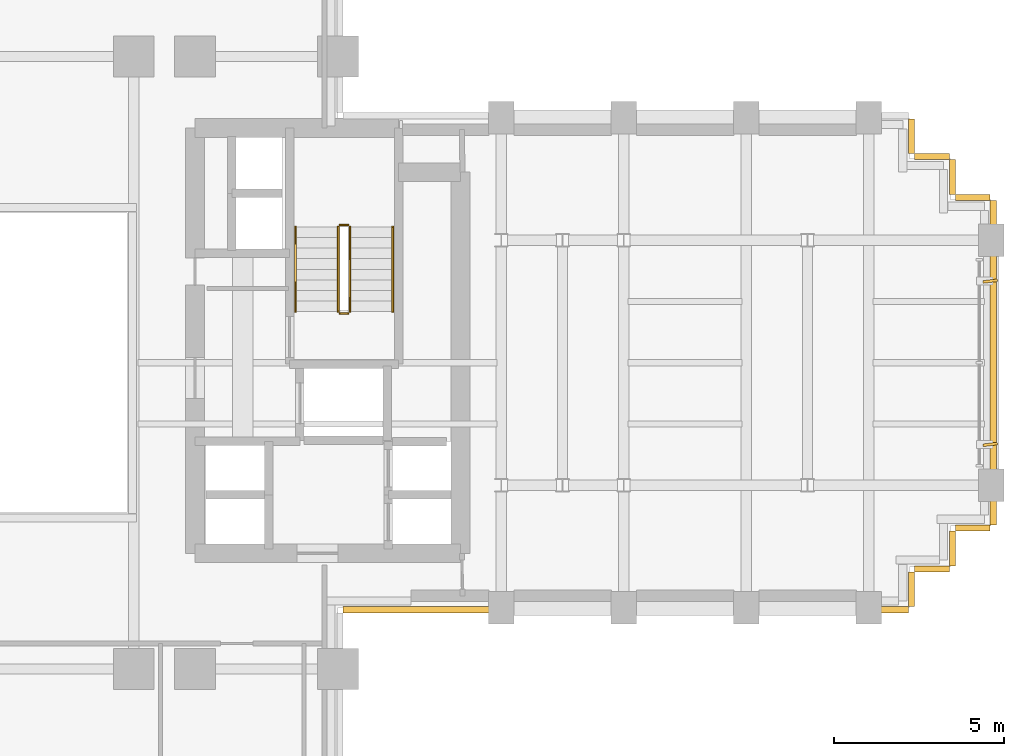
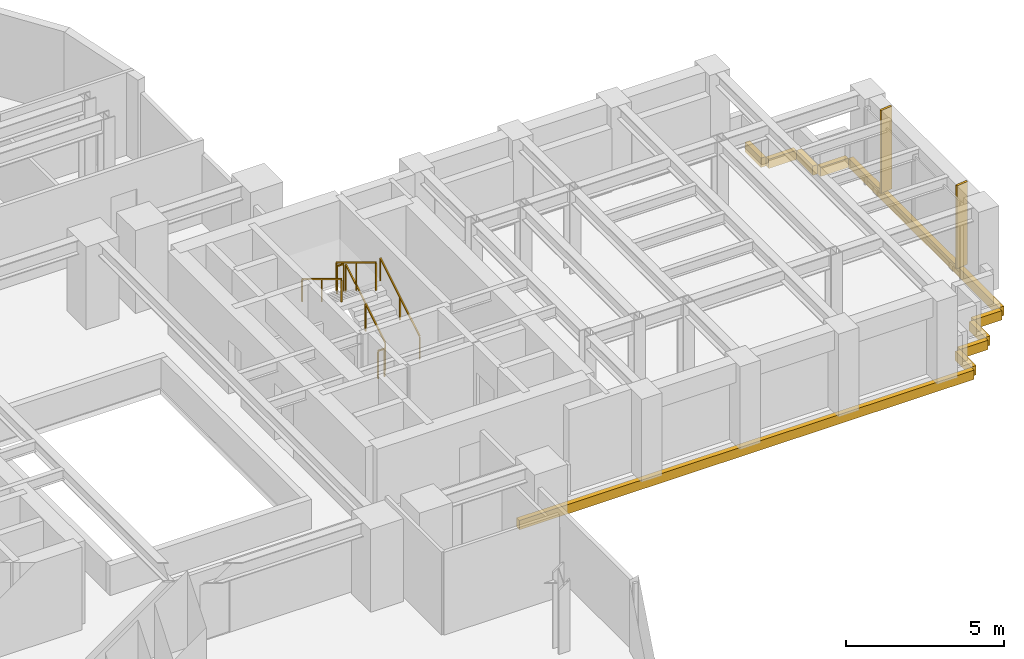
# One storey, part 15 of 16: 10 coverings, 6 railings, 2 shading devices.
"""IFC4 building model written with IfcOpenShell, lengths in metres."""

from ifc_helpers import new_model, si_unit, direction, frame, origin, origin_2d, place, context, subcontext, project, spatial, rectangle, extrude, source, transform, mapped, material, layer, layer_set, type_object, element, save


model = new_model("IFC4")

# Units and contexts
model_context = context("Model", 3, precision=1e-05, world=origin(), true_north=direction((0.0, 1.0)))
body_context = subcontext(model_context, "Body", "Model", "MODEL_VIEW")
ifc_project = project(units=[si_unit("LENGTHUNIT", "METRE"), si_unit("AREAUNIT", "SQUARE_METRE"), si_unit("VOLUMEUNIT", "CUBIC_METRE"), si_unit("PLANEANGLEUNIT", "RADIAN"), si_unit("MASSUNIT", "GRAM", prefix="KILO")], contexts=[model_context])

# Site, building, storey
site_placement = place(None, origin())
site = spatial("IfcSite", under=ifc_project, at=site_placement, CompositionType="ELEMENT")
building_placement = place(site_placement, origin())
building = spatial("IfcBuilding", under=site, at=building_placement, Name="Keilestroom Media Tower", CompositionType="ELEMENT")
storey_placement = place(building_placement, frame((0.0, 0.0, 64.60009765625)))
storey = spatial("IfcBuildingStorey", under=building, at=storey_placement, Name="L16", CompositionType="ELEMENT", Elevation=64.60009765625)

# Railings
ifc_material_1 = material(Name="Brushed Stainless Steel 1.4301", Category="steel")
railing_type_1 = type_object("IfcRailingType", Name="Stair-Pitch-Handrail-920", PredefinedType="HANDRAIL", material=ifc_material_1)
railing_1_placement = place(storey_placement, frame((11.2099609375, 1.5, 0.188720703125)))
element("IfcRailing", 1, at=railing_1_placement, inside=storey, type_object=railing_type_1, Name="L16 ST-2 stair handrail 1", PredefinedType="HANDRAIL", context=body_context, shape_type="SweptSolid", body=[
    extrude(rectangle(XDim=0.048095703125, YDim=0.048095703125, at=origin_2d()), frame((0.0, 0.0, 0.8759765625), z_axis=(0.0, 0.855433747314, 0.517912255074), x_axis=(-1.0, 0.0, 0.0)), (0.0, 0.0, 1.0), 2.91796875),
    extrude(rectangle(XDim=0.0419921875, YDim=0.0419921875, at=origin_2d()), origin(), (0.0, 0.0, 1.0), 0.84375),
    extrude(rectangle(XDim=0.0419921875, YDim=0.0419921875, at=origin_2d()), frame((0.0, 1.248046875, 0.755615234375)), (0.0, 0.0, 1.0), 0.84375),
    extrude(rectangle(XDim=0.0419921875, YDim=0.0419921875, at=origin_2d()), frame((0.0, 2.49609375, 1.51123046875)), (0.0, 0.0, 1.0), 0.84375),
])
railing_2_placement = place(storey_placement, frame((8.35009765625, 3.99609375, 1.888671875)))
element("IfcRailing", 2, at=railing_2_placement, inside=storey, type_object=railing_type_1, Name="L16 ST-2 stair handrail 2", PredefinedType="HANDRAIL", context=body_context, shape_type="SweptSolid", body=[
    extrude(rectangle(XDim=0.048095703125, YDim=0.048095703125, at=origin_2d()), frame((0.0, 0.0, 0.8759765625), z_axis=(0.0, -0.855433747314, 0.517912255074), x_axis=(1.0, 0.0, 0.0)), (0.0, 0.0, 1.0), 2.91796875),
    extrude(rectangle(XDim=0.0419921875, YDim=0.0419921875, at=origin_2d()), origin(), (0.0, 0.0, 1.0), 0.84375),
    extrude(rectangle(XDim=0.0419921875, YDim=0.0419921875, at=origin_2d()), frame((0.0, -1.248046875, 0.755615234375)), (0.0, 0.0, 1.0), 0.84375),
    extrude(rectangle(XDim=0.0419921875, YDim=0.0419921875, at=origin_2d()), frame((0.0, -2.49609375, 1.51123046875)), (0.0, 0.0, 1.0), 0.84375),
])
ifc_material_2 = material(Name="Painted Steel Balustrade", Category="steel")
railing_type_2 = type_object("IfcRailingType", Name="Stair-Well-And-Landing-Guard-1100", PredefinedType="GUARDRAIL", material=ifc_material_2)
railing_3_placement = place(storey_placement, frame((9.949951171875, 1.5, 0.188720703125)))
element("IfcRailing", 3, at=railing_3_placement, inside=storey, type_object=railing_type_2, Name="L16 ST-2 stair guard 1", PredefinedType="GUARDRAIL", context=body_context, shape_type="SweptSolid", body=[
    extrude(rectangle(XDim=0.048095703125, YDim=0.048095703125, at=origin_2d()), frame((0.0, 0.0, 1.076171875), z_axis=(0.0, 0.855433747314, 0.517912255074), x_axis=(-1.0, 0.0, 0.0)), (0.0, 0.0, 1.0), 2.91796875),
    extrude(rectangle(XDim=0.0419921875, YDim=0.0419921875, at=origin_2d()), origin(), (0.0, 0.0, 1.0), 1.0439453125),
    extrude(rectangle(XDim=0.0419921875, YDim=0.0419921875, at=origin_2d()), frame((0.0, 1.248046875, 0.755615234375)), (0.0, 0.0, 1.0), 1.0439453125),
    extrude(rectangle(XDim=0.0419921875, YDim=0.0419921875, at=origin_2d()), frame((0.0, 2.49609375, 1.51123046875)), (0.0, 0.0, 1.0), 1.0439453125),
])
railing_4_placement = place(storey_placement, frame((9.89990234375, 4.0458984375, 1.699951171875)))
element("IfcRailing", 4, at=railing_4_placement, inside=storey, type_object=railing_type_2, Name="L16 ST-2 stair guard 2", PredefinedType="GUARDRAIL", context=body_context, shape_type="SweptSolid", body=[
    extrude(rectangle(XDim=0.048095703125, YDim=0.048095703125, at=origin_2d()), frame((0.0, 0.0, 1.076171875), z_axis=(-1.0, 0.0, 0.0), x_axis=(0.0, -1.0, 0.0)), (0.0, 0.0, 1.0), 0.239990234375),
    extrude(rectangle(XDim=0.0419921875, YDim=0.0419921875, at=origin_2d()), origin(), (0.0, 0.0, 1.0), 1.0439453125),
    extrude(rectangle(XDim=0.0419921875, YDim=0.0419921875, at=origin_2d()), frame((-0.239990234375, 0.0, 0.0)), (0.0, 0.0, 1.0), 1.0439453125),
])
railing_5_placement = place(storey_placement, frame((9.610107421875, 3.99609375, 1.888671875)))
element("IfcRailing", 5, at=railing_5_placement, inside=storey, type_object=railing_type_2, Name="L16 ST-2 stair guard 3", PredefinedType="GUARDRAIL", context=body_context, shape_type="SweptSolid", body=[
    extrude(rectangle(XDim=0.048095703125, YDim=0.048095703125, at=origin_2d()), frame((0.0, 0.0, 1.076171875), z_axis=(0.0, -0.855433747314, 0.517912255074), x_axis=(1.0, 0.0, 0.0)), (0.0, 0.0, 1.0), 2.91796875),
    extrude(rectangle(XDim=0.0419921875, YDim=0.0419921875, at=origin_2d()), origin(), (0.0, 0.0, 1.0), 1.0439453125),
    extrude(rectangle(XDim=0.0419921875, YDim=0.0419921875, at=origin_2d()), frame((0.0, -1.248046875, 0.755615234375)), (0.0, 0.0, 1.0), 1.0439453125),
    extrude(rectangle(XDim=0.0419921875, YDim=0.0419921875, at=origin_2d()), frame((0.0, -2.49609375, 1.51123046875)), (0.0, 0.0, 1.0), 1.0439453125),
])
railing_6_placement = place(storey_placement, frame((9.89990234375, 1.449951171875, 0.0)))
element("IfcRailing", 6, at=railing_6_placement, inside=storey, type_object=railing_type_2, Name="L16 ST-2 stair guard 4", PredefinedType="GUARDRAIL", context=body_context, shape_type="SweptSolid", body=[
    extrude(rectangle(XDim=0.048095703125, YDim=0.048095703125, at=origin_2d()), frame((0.0, 0.0, 1.076171875), z_axis=(-1.0, 0.0, 0.0), x_axis=(0.0, -1.0, 0.0)), (0.0, 0.0, 1.0), 0.239990234375),
    extrude(rectangle(XDim=0.0419921875, YDim=0.0419921875, at=origin_2d()), origin(), (0.0, 0.0, 1.0), 1.0439453125),
    extrude(rectangle(XDim=0.0419921875, YDim=0.0419921875, at=origin_2d()), frame((-0.239990234375, 0.0, 0.0)), (0.0, 0.0, 1.0), 1.0439453125),
])

# Shading devices
ifc_material_3 = material(Name="Bronze Anodised Aluminium", Category="aluminium")
shading_device_type = type_object("IfcShadingDeviceType", Name="Facade-Vertical-Sunshade-Fin-SHD-1", PredefinedType="USERDEFINED", material=ifc_material_3)
shared_shape_1 = source(origin(), body_context, "Body", "SweptSolid", [
    extrude(rectangle(XDim=0.419921875, YDim=0.080078125, at=origin_2d()), origin(), (0.0, 0.0, 1.0), 3.199951171875),
])
for number, where, z_axis, x_axis, name in (
    (7, (28.77001953125, -2.39990234375, 0.0), (0.0, 0.0, 1.0), (0.99288260457, 0.119097160095, 0.0), "L16 Twisting Sunshade Fin SHD-1 019"),
    (8, (28.77001953125, 2.39990234375, 0.0), (0.0, 0.0, 1.0), (0.99288260457, 0.119097160095, 0.0), "L16 Twisting Sunshade Fin SHD-1 020"),
):
    element("IfcShadingDevice", number, at=place(storey_placement, frame(where, z_axis=z_axis, x_axis=x_axis)), inside=storey, type_object=shading_device_type, Name=name, ObjectType="SUNSHADE", PredefinedType="USERDEFINED", context=body_context, shape_type="MappedRepresentation", body=[
        mapped(shared_shape_1, transform((0.0, 0.0, 0.0), x_axis=(1.0, 0.0, 0.0), y_axis=(0.0, 1.0, 0.0), z_axis=(0.0, 0.0, 1.0), scale=1.0)),
    ])

# Coverings
ifc_material_4 = material(Name="Precast concrete C40/50", Category="concrete")
ifc_layer = layer(ifc_material_4, 0.1201171875)
ifc_layer_set = layer_set([ifc_layer], Name="Precast concrete C40/50")
covering_type = type_object("IfcCoveringType", Name="Exterior-Precast-Spandrel-Cladding-Panel-120", PredefinedType="CLADDING", material=ifc_layer_set)
shared_shape_2 = source(origin(), body_context, "Body", "SweptSolid", [
    extrude(rectangle(XDim=1.02001953125, YDim=0.179931640625, at=origin_2d()), origin(), (0.0, 0.0, 1.0), 0.360107421875),
])
for number, where, z_axis, x_axis, name in (
    (9, (28.260009765625, -4.860107421875, -0.5400390625), (0.0, 0.0, 1.0), (-1.0, 0.0, 0.0), "L16 Precast Slab-Edge Fascia Cornice 01"),
    (10, (27.659912109375, -5.4599609375, -0.5400390625), (0.0, 0.0, 1.0), (0.0, -1.0, 0.0), "L16 Precast Slab-Edge Fascia Cornice 02"),
    (11, (27.06005859375, -6.06005859375, -0.5400390625), (0.0, 0.0, 1.0), (-1.0, 0.0, 0.0), "L16 Precast Slab-Edge Fascia Cornice 03"),
    (12, (26.4599609375, -6.659912109375, -0.5400390625), (0.0, 0.0, 1.0), (0.0, -1.0, 0.0), "L16 Precast Slab-Edge Fascia Cornice 04"),
    (13, (26.4599609375, 6.659912109375, -0.5400390625), (0.0, 0.0, 1.0), (0.0, -1.0, 0.0), "L16 Precast Slab-Edge Fascia Cornice 38"),
    (14, (27.06005859375, 6.06005859375, -0.5400390625), (0.0, 0.0, 1.0), (1.0, 0.0, 0.0), "L16 Precast Slab-Edge Fascia Cornice 39"),
    (15, (27.659912109375, 5.4599609375, -0.5400390625), (0.0, 0.0, 1.0), (0.0, -1.0, 0.0), "L16 Precast Slab-Edge Fascia Cornice 40"),
    (16, (28.260009765625, 4.860107421875, -0.5400390625), (0.0, 0.0, 1.0), (1.0, 0.0, 0.0), "L16 Precast Slab-Edge Fascia Cornice 41"),
):
    element("IfcCovering", number, at=place(storey_placement, frame(where, z_axis=z_axis, x_axis=x_axis)), inside=storey, type_object=covering_type, Name=name, PredefinedType="CLADDING", context=body_context, shape_type="MappedRepresentation", body=[
        mapped(shared_shape_2, transform((0.0, 0.0, 0.0), x_axis=(1.0, 0.0, 0.0), y_axis=(0.0, 1.0, 0.0), z_axis=(0.0, 0.0, 1.0), scale=1.0)),
    ])
shared_shape_3 = source(origin(), body_context, "Body", "SweptSolid", [
    extrude(rectangle(XDim=16.6201171875, YDim=0.179931640625, at=origin_2d()), origin(), (0.0, 0.0, 1.0), 0.360107421875),
])
covering_1_placement = place(storey_placement, frame((18.06005859375, -7.260009765625, -0.5400390625), z_axis=(0.0, 0.0, 1.0), x_axis=(-1.0, 0.0, 0.0)))
element("IfcCovering", 17, at=covering_1_placement, inside=storey, type_object=covering_type, Name="L16 Precast Slab-Edge Fascia Cornice 05", PredefinedType="CLADDING", context=body_context, shape_type="MappedRepresentation", body=[
    mapped(shared_shape_3, transform((0.0, 0.0, 0.0), x_axis=(1.0, 0.0, 0.0), y_axis=(0.0, 1.0, 0.0), z_axis=(0.0, 0.0, 1.0), scale=1.0)),
])
shared_shape_4 = source(origin(), body_context, "Body", "SweptSolid", [
    extrude(rectangle(XDim=9.5400390625, YDim=0.179931640625, at=origin_2d()), origin(), (0.0, 0.0, 1.0), 0.360107421875),
])
covering_2_placement = place(storey_placement, frame((28.860107421875, 0.0, -0.5400390625), z_axis=(0.0, 0.0, 1.0), x_axis=(0.0, -1.0, 0.0)))
element("IfcCovering", 18, at=covering_2_placement, inside=storey, type_object=covering_type, Name="L16 Precast Slab-Edge Fascia Cornice 42", PredefinedType="CLADDING", context=body_context, shape_type="MappedRepresentation", body=[
    mapped(shared_shape_4, transform((0.0, 0.0, 0.0), x_axis=(1.0, 0.0, 0.0), y_axis=(0.0, 1.0, 0.0), z_axis=(0.0, 0.0, 1.0), scale=1.0)),
])

save(model, "model.ifc")
